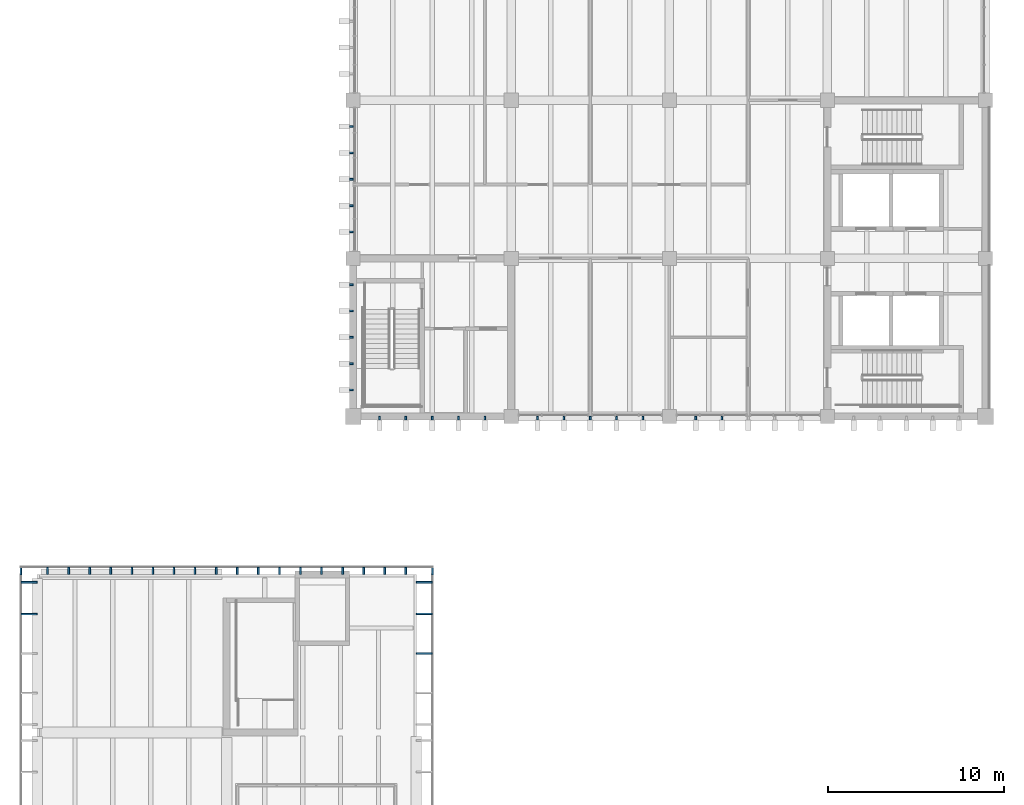
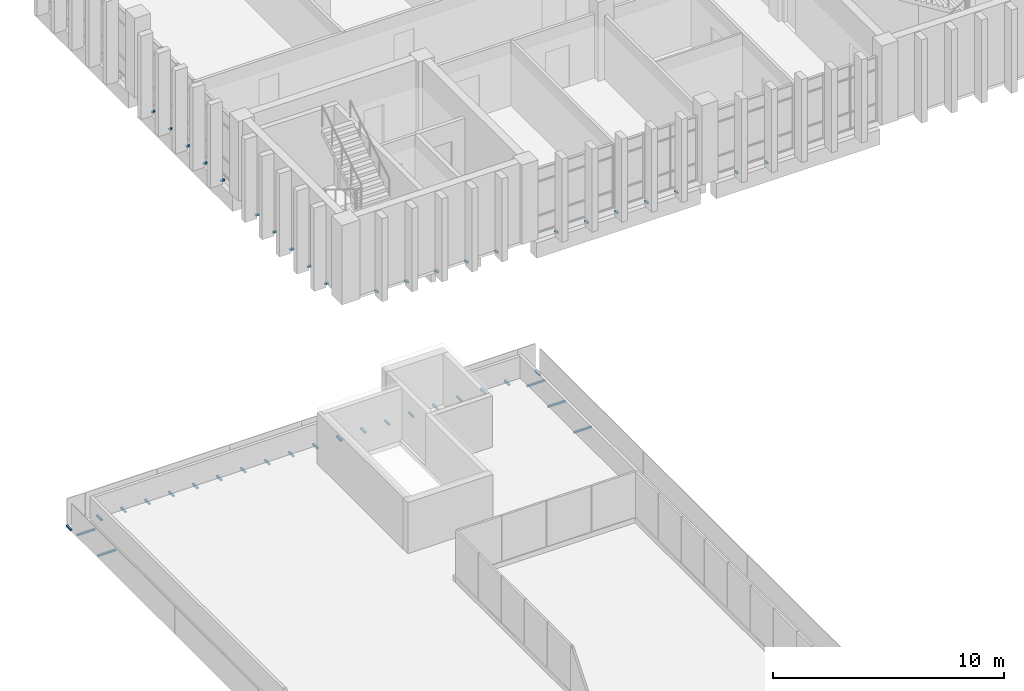
# One storey, part 22 of 29: 47 discrete accessories.
"""IFC4 building model written with IfcOpenShell, lengths in metres."""

from ifc_helpers import new_model, si_unit, direction, frame, origin, place, context, subcontext, project, spatial, polyline, outline, extrude, source, transform, mapped, material, type_object, element, save


model = new_model("IFC4")

# Units and contexts
model_context = context("Model", 3, precision=1e-05, world=origin(), true_north=direction((0.0, 1.0)))
body_context = subcontext(model_context, "Body", "Model", "MODEL_VIEW")
ifc_project = project(units=[si_unit("LENGTHUNIT", "METRE"), si_unit("AREAUNIT", "SQUARE_METRE"), si_unit("VOLUMEUNIT", "CUBIC_METRE"), si_unit("PLANEANGLEUNIT", "RADIAN"), si_unit("MASSUNIT", "GRAM", prefix="KILO")], contexts=[model_context])

# Site, building, storey
site_placement = place(None, origin())
site = spatial("IfcSite", under=ifc_project, at=site_placement, CompositionType="ELEMENT")
building_placement = place(site_placement, origin())
building = spatial("IfcBuilding", under=site, at=building_placement, Name="Merrow Basin Faculty of Sciences", CompositionType="ELEMENT")
storey_placement = place(building_placement, frame((0.0, 0.0, 22.5)))
storey = spatial("IfcBuildingStorey", under=building, at=storey_placement, Name="L05", CompositionType="ELEMENT", Elevation=22.5)

# Discrete accessories
ifc_material_1 = material(Name="Steel ASTM A572 Gr 50", Category="steel")
discrete_accessory_type_1 = type_object("IfcDiscreteAccessoryType", Name="Steel T bracket 100 x 80", PredefinedType="BRACKET", material=ifc_material_1)
shared_shape_1 = source(origin(), body_context, "Body", "SweptSolid", [
    extrude(outline(polyline([(0.0, 0.0), (0.10009765625, 0.0), (0.10009765625, 0.080078125), (0.0, 0.080078125), (0.0, 0.0)])), origin(), (0.0, 0.0, 1.0), 0.89990234375),
])
for number, where, z_axis, x_axis, name in (
    (1, (-0.89990234375, 130.699951171875, -0.2900390625), (1.0, 0.0, 0.0), (0.0, 1.0, 0.0), "Bracket WL05-08"),
    (2, (-0.89990234375, 132.5, -0.2900390625), (1.0, 0.0, 0.0), (0.0, 1.0, 0.0), "Bracket WL05-08"),
    (3, (22.5, 132.60009765625, -0.2900390625), (-1.0, 0.0, 0.0), (0.0, -1.0, 0.0), "Bracket EL05-08"),
    (4, (22.5, 130.800048828125, -0.2900390625), (-1.0, 0.0, 0.0), (0.0, -1.0, 0.0), "Bracket EL05-08"),
    (5, (22.5, 128.550048828125, -0.2900390625), (-1.0, 0.0, 0.0), (0.0, -1.0, 0.0), "Bracket EL05-08"),
):
    element("IfcDiscreteAccessory", number, at=place(storey_placement, frame(where, z_axis=z_axis, x_axis=x_axis)), inside=storey, type_object=discrete_accessory_type_1, Name=name, PredefinedType="BRACKET", context=body_context, shape_type="MappedRepresentation", body=[
        mapped(shared_shape_1, transform((0.0, 0.0, 0.0), scale=1.0)),
    ])
ifc_material_2 = material(Name="Steel ASTM A572 Gr 50", Category="steel")
discrete_accessory_type_2 = type_object("IfcDiscreteAccessoryType", Name="Steel T bracket 100 x 80 corner", PredefinedType="BRACKET", material=ifc_material_2)
shared_shape_2 = source(origin(), body_context, "Body", "SweptSolid", [
    extrude(outline(polyline([(0.0, 0.0), (0.10009765625, 0.0), (0.10009765625, 0.080078125), (0.0, 0.080078125), (0.0, 0.0)])), origin(), (0.0, 0.0, 1.0), 0.419921875),
])
for number, where, z_axis, x_axis, name in (
    (6, (-0.969970703125, 133.39990234375, -0.2900390625), (0.0, -1.0, 0.0), (1.0, 0.0, 0.0), "End corner bracket NL05-01"),
    (7, (22.469970703125, 133.39990234375, -0.2900390625), (0.0, -1.0, 0.0), (1.0, 0.0, 0.0), "End corner bracket NL05-08"),
):
    element("IfcDiscreteAccessory", number, at=place(storey_placement, frame(where, z_axis=z_axis, x_axis=x_axis)), inside=storey, type_object=discrete_accessory_type_2, Name=name, PredefinedType="BRACKET", context=body_context, shape_type="MappedRepresentation", body=[
        mapped(shared_shape_2, transform((0.0, 0.0, 0.0), scale=1.0)),
    ])
ifc_material_3 = material(Name="Steel ASTM A572 Gr 50", Category="steel")
discrete_accessory_type_3 = type_object("IfcDiscreteAccessoryType", Name="Steel T bracket 100 x 80 short", PredefinedType="BRACKET", material=ifc_material_3)
shared_shape_3 = source(origin(), body_context, "Body", "SweptSolid", [
    extrude(outline(polyline([(0.0, 0.0), (0.10009765625, 0.0), (0.10009765625, 0.080078125), (0.0, 0.080078125), (0.0, 0.0)])), origin(), (0.0, 0.0, 1.0), 0.39990234375),
])
for number, where, z_axis, x_axis, name in (
    (8, (0.550048828125, 133.39990234375, -0.2900390625), (0.0, -1.0, 0.0), (1.0, 0.0, 0.0), "End bracket NL05-02-1"),
    (9, (1.75, 133.39990234375, -0.2900390625), (0.0, -1.0, 0.0), (1.0, 0.0, 0.0), "End bracket NL05-02-2"),
    (10, (2.949951171875, 133.39990234375, -0.2900390625), (0.0, -1.0, 0.0), (1.0, 0.0, 0.0), "End bracket NL05-02-3"),
    (11, (4.14990234375, 133.39990234375, -0.2900390625), (0.0, -1.0, 0.0), (1.0, 0.0, 0.0), "End bracket NL05-03-1"),
    (12, (5.35009765625, 133.39990234375, -0.2900390625), (0.0, -1.0, 0.0), (1.0, 0.0, 0.0), "End bracket NL05-03-2"),
    (13, (6.550048828125, 133.39990234375, -0.2900390625), (0.0, -1.0, 0.0), (1.0, 0.0, 0.0), "End bracket NL05-03-3"),
    (14, (7.75, 133.39990234375, -0.2900390625), (0.0, -1.0, 0.0), (1.0, 0.0, 0.0), "End bracket NL05-04-1"),
    (15, (8.949951171875, 133.39990234375, -0.2900390625), (0.0, -1.0, 0.0), (1.0, 0.0, 0.0), "End bracket NL05-04-2"),
    (16, (10.14990234375, 133.39990234375, -0.2900390625), (0.0, -1.0, 0.0), (1.0, 0.0, 0.0), "End bracket NL05-04-3"),
    (17, (11.35009765625, 133.39990234375, -0.2900390625), (0.0, -1.0, 0.0), (1.0, 0.0, 0.0), "End bracket NL05-05-1"),
    (18, (12.550048828125, 133.39990234375, -0.2900390625), (0.0, -1.0, 0.0), (1.0, 0.0, 0.0), "End bracket NL05-05-2"),
    (19, (13.75, 133.39990234375, -0.2900390625), (0.0, -1.0, 0.0), (1.0, 0.0, 0.0), "End bracket NL05-05-3"),
    (20, (14.949951171875, 133.39990234375, -0.2900390625), (0.0, -1.0, 0.0), (1.0, 0.0, 0.0), "End bracket NL05-06-1"),
    (21, (16.14990234375, 133.39990234375, -0.2900390625), (0.0, -1.0, 0.0), (1.0, 0.0, 0.0), "End bracket NL05-06-2"),
    (22, (17.35009765625, 133.39990234375, -0.2900390625), (0.0, -1.0, 0.0), (1.0, 0.0, 0.0), "End bracket NL05-06-3"),
    (23, (18.550048828125, 133.39990234375, -0.2900390625), (0.0, -1.0, 0.0), (1.0, 0.0, 0.0), "End bracket NL05-07-1"),
    (24, (19.75, 133.39990234375, -0.2900390625), (0.0, -1.0, 0.0), (1.0, 0.0, 0.0), "End bracket NL05-07-2"),
    (25, (20.949951171875, 133.39990234375, -0.2900390625), (0.0, -1.0, 0.0), (1.0, 0.0, 0.0), "End bracket NL05-07-3"),
):
    element("IfcDiscreteAccessory", number, at=place(storey_placement, frame(where, z_axis=z_axis, x_axis=x_axis)), inside=storey, type_object=discrete_accessory_type_3, Name=name, PredefinedType="BRACKET", context=body_context, shape_type="MappedRepresentation", body=[
        mapped(shared_shape_3, transform((0.0, 0.0, 0.0), scale=1.0)),
    ])
ifc_material_4 = material(Name="Steel ASTM A572 Gr 50", Category="steel")
discrete_accessory_type_4 = type_object("IfcDiscreteAccessoryType", Name="Steel T bracket 100 x 80 fin", PredefinedType="BRACKET", material=ifc_material_4)
shared_shape_4 = source(origin(), body_context, "Body", "SweptSolid", [
    extrude(outline(polyline([(0.0, 0.0), (0.10009765625, 0.0), (0.10009765625, 0.080078125), (0.0, 0.080078125), (0.0, 0.0)])), origin(), (0.0, 0.0, 1.0), 0.199951171875),
])
for number, where, z_axis, x_axis, name in (
    (26, (19.449951171875, 142.0, -0.199951171875), (0.0, -1.0, 0.0), (1.0, 0.0, 0.0), "Fin bracket SL05"),
    (27, (20.949951171875, 142.0, -0.199951171875), (0.0, -1.0, 0.0), (1.0, 0.0, 0.0), "Fin bracket SL05"),
    (28, (22.449951171875, 142.0, -0.199951171875), (0.0, -1.0, 0.0), (1.0, 0.0, 0.0), "Fin bracket SL05"),
    (29, (23.949951171875, 142.0, -0.199951171875), (0.0, -1.0, 0.0), (1.0, 0.0, 0.0), "Fin bracket SL05"),
    (30, (25.449951171875, 142.0, -0.199951171875), (0.0, -1.0, 0.0), (1.0, 0.0, 0.0), "Fin bracket SL05"),
    (31, (28.449951171875, 142.0, -0.199951171875), (0.0, -1.0, 0.0), (1.0, 0.0, 0.0), "Fin bracket SL05"),
    (32, (29.949951171875, 142.0, -0.199951171875), (0.0, -1.0, 0.0), (1.0, 0.0, 0.0), "Fin bracket SL05"),
    (33, (31.449951171875, 142.0, -0.199951171875), (0.0, -1.0, 0.0), (1.0, 0.0, 0.0), "Fin bracket SL05"),
    (34, (32.949951171875, 142.0, -0.199951171875), (0.0, -1.0, 0.0), (1.0, 0.0, 0.0), "Fin bracket SL05"),
    (35, (34.449951171875, 142.0, -0.199951171875), (0.0, -1.0, 0.0), (1.0, 0.0, 0.0), "Fin bracket SL05"),
    (36, (37.449951171875, 142.0, -0.199951171875), (0.0, -1.0, 0.0), (1.0, 0.0, 0.0), "Fin bracket SL05"),
    (37, (38.949951171875, 142.0, -0.199951171875), (0.0, -1.0, 0.0), (1.0, 0.0, 0.0), "Fin bracket SL05"),
    (38, (18.0, 143.550048828125, -0.199951171875), (-1.0, 0.0, 0.0), (0.0, -1.0, 0.0), "Fin bracket WL05"),
    (39, (18.0, 145.050048828125, -0.199951171875), (-1.0, 0.0, 0.0), (0.0, -1.0, 0.0), "Fin bracket WL05"),
    (40, (18.0, 146.550048828125, -0.199951171875), (-1.0, 0.0, 0.0), (0.0, -1.0, 0.0), "Fin bracket WL05"),
    (41, (18.0, 148.050048828125, -0.199951171875), (-1.0, 0.0, 0.0), (0.0, -1.0, 0.0), "Fin bracket WL05"),
    (42, (18.0, 149.550048828125, -0.199951171875), (-1.0, 0.0, 0.0), (0.0, -1.0, 0.0), "Fin bracket WL05"),
    (43, (18.0, 152.550048828125, -0.199951171875), (-1.0, 0.0, 0.0), (0.0, -1.0, 0.0), "Fin bracket WL05"),
    (44, (18.0, 154.050048828125, -0.199951171875), (-1.0, 0.0, 0.0), (0.0, -1.0, 0.0), "Fin bracket WL05"),
    (45, (18.0, 155.550048828125, -0.199951171875), (-1.0, 0.0, 0.0), (0.0, -1.0, 0.0), "Fin bracket WL05"),
    (46, (18.0, 157.050048828125, -0.199951171875), (-1.0, 0.0, 0.0), (0.0, -1.0, 0.0), "Fin bracket WL05"),
    (47, (18.0, 158.550048828125, -0.199951171875), (-1.0, 0.0, 0.0), (0.0, -1.0, 0.0), "Fin bracket WL05"),
):
    element("IfcDiscreteAccessory", number, at=place(storey_placement, frame(where, z_axis=z_axis, x_axis=x_axis)), inside=storey, type_object=discrete_accessory_type_4, Name=name, PredefinedType="BRACKET", context=body_context, shape_type="MappedRepresentation", body=[
        mapped(shared_shape_4, transform((0.0, 0.0, 0.0), scale=1.0)),
    ])

save(model, "model.ifc")
